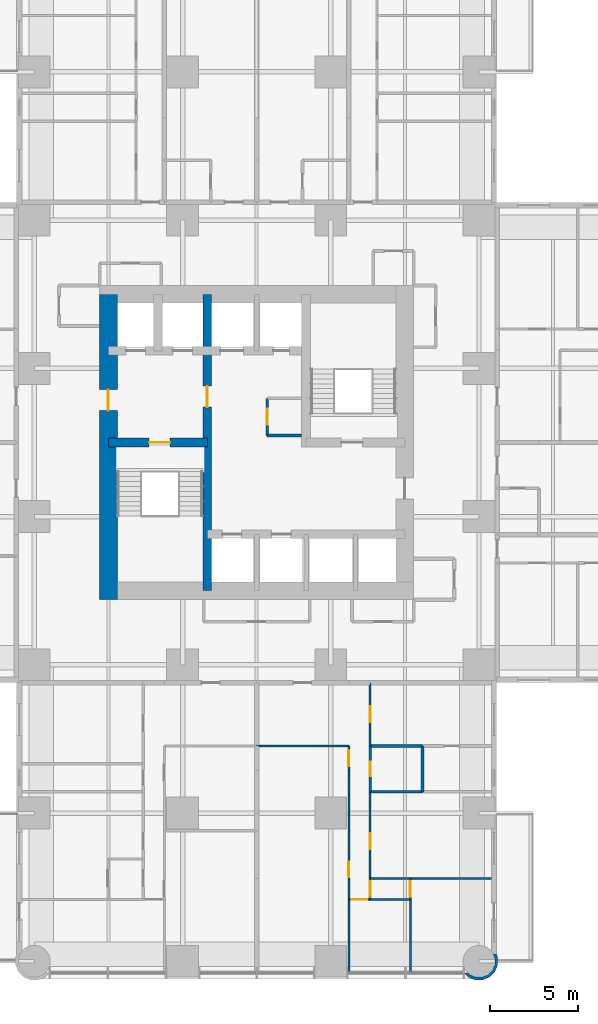
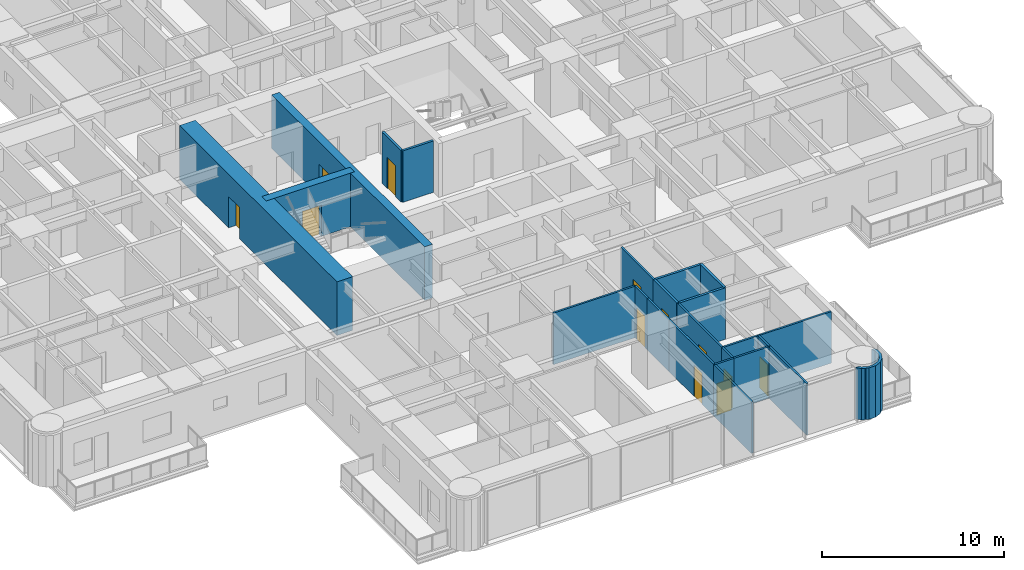
# One storey, part 9 of 17: 24 walls, 12 doors, 12 openings.
"""IFC4 building model written with IfcOpenShell, lengths in metres."""

from ifc_helpers import new_model, si_unit, direction, frame, frame_2d, origin, place, context, subcontext, project, spatial, polyline, rectangle, outline, extrude, material, layer, layer_set, type_object, element, fill, save


model = new_model("IFC4")

# Units and contexts
model_context = context("Model", 3, precision=1e-05, world=origin(), true_north=direction((0.0, 1.0)))
body_context = subcontext(model_context, "Body", "Model", "MODEL_VIEW")
ifc_project = project(units=[si_unit("LENGTHUNIT", "METRE"), si_unit("AREAUNIT", "SQUARE_METRE"), si_unit("VOLUMEUNIT", "CUBIC_METRE"), si_unit("PLANEANGLEUNIT", "RADIAN"), si_unit("MASSUNIT", "GRAM", prefix="KILO")], contexts=[model_context])

# Site, building, storey
site_placement = place(None, origin())
site = spatial("IfcSite", under=ifc_project, at=site_placement, CompositionType="ELEMENT")
building_placement = place(site_placement, origin())
building = spatial("IfcBuilding", under=site, at=building_placement, Name="Torre Alcanfor", CompositionType="ELEMENT")
storey_placement = place(building_placement, frame((0.0, 0.0, 92.10009765625)))
storey = spatial("IfcBuildingStorey", under=building, at=storey_placement, Name="L23", CompositionType="ELEMENT", Elevation=92.10009765625)

# Wall
ifc_material_1 = material(Name="Gypsum board on steel studs", Category="steel")
ifc_layer_1 = layer(ifc_material_1, 0.1201171875)
ifc_layer_set_1 = layer_set([ifc_layer_1], Name="Apartment partition 120")
wall_type_1 = type_object("IfcWallType", Name="Apartment partition 120", PredefinedType="PARTITIONING", material=ifc_layer_set_1)
wall_1_placement = place(storey_placement, frame((29.39990234375, 12.199951171875, 0.0), z_axis=(0.0, 0.0, 1.0), x_axis=(1.0, 0.0, 0.0)))
element("IfcWall", 1, at=wall_1_placement, inside=storey, type_object=wall_type_1, Name="Partition L23-S1-ZAG / L23-S1-LAUND", PredefinedType="PARTITIONING", context=body_context, shape_type="SweptSolid", body=[
    extrude(rectangle(XDim=5.22900390625, YDim=0.1201171875, at=frame_2d((2.614501953125, 0.0))), origin(), (0.0, 0.0, 1.0), 3.449951171875),
])

# Wall, opening, door
wall_2_placement = place(storey_placement, frame((34.62890625, 10.800048828125, 0.0), z_axis=(0.0, 0.0, 1.0), x_axis=(0.0, 1.0, 0.0)))
wall_2 = element("IfcWall", 2, at=wall_2_placement, inside=storey, type_object=wall_type_1, Name="Partition L23-S1-LAUND / L23-S1-HALL", PredefinedType="PARTITIONING", context=body_context, shape_type="SweptSolid", body=[
    extrude(rectangle(XDim=1.39990234375, YDim=0.1201171875, at=frame_2d((0.699951171875, 0.0))), origin(), (0.0, 0.0, 1.0), 3.449951171875),
])
opening_1_placement = place(wall_2_placement, frame((0.25, 0.0, 0.0)))
opening_1 = element("IfcOpeningElement", 3, at=opening_1_placement, cuts=wall_2, Name="Opening D-R1", PredefinedType="OPENING", context=body_context, shape_type="SweptSolid", body=[
    extrude(rectangle(XDim=0.89990234375, YDim=2.10009765625, at=frame_2d((0.449951171875, 1.050048828125))), frame((0.0, 0.070068359375, 0.0), z_axis=(0.0, -1.0, 0.0), x_axis=(1.0, 0.0, 0.0)), (0.0, 0.0, 1.0), 0.14013671875),
])
ifc_material_2 = material(Name="Timber", Category="wood")
door_type_1 = type_object("IfcDoorType", Name="Internal door 900x2100", OperationType="SINGLE_SWING_LEFT", PredefinedType="DOOR", material=ifc_material_2)
door_1_placement = place(opening_1_placement, origin())
door_1 = element("IfcDoor", 4, at=door_1_placement, inside=storey, type_object=door_type_1, Name="Door L23-S1 laund", OperationType="SINGLE_SWING_LEFT", OverallHeight=2.10009765625, OverallWidth=0.89990234375, PredefinedType="DOOR", context=body_context, shape_type="SweptSolid", body=[
    extrude(rectangle(XDim=0.89990234375, YDim=2.10009765625, at=frame_2d((0.449951171875, 1.050048828125))), frame((0.0, 0.02490234375, 0.0), z_axis=(0.0, -1.0, 0.0), x_axis=(1.0, 0.0, 0.0)), (0.0, 0.0, 1.0), 0.050048828125),
])
fill(opening_1, door_1)

# Wall
wall_3_placement = place(storey_placement, frame((34.62890625, 8.39990234375, 0.0), z_axis=(0.0, 0.0, 1.0), x_axis=(0.0, 1.0, 0.0)))
element("IfcWall", 5, at=wall_3_placement, inside=storey, type_object=wall_type_1, Name="Partition L23-S1-KITCHEN / L23-S1-HALL", PredefinedType="PARTITIONING", context=body_context, shape_type="SweptSolid", body=[
    extrude(rectangle(XDim=2.400146484375, YDim=0.1201171875, at=frame_2d((1.2001953125, 0.0))), origin(), (0.0, 0.0, 1.0), 3.449951171875),
])

# Wall, opening, door
wall_4_placement = place(storey_placement, frame((34.62890625, 3.5, 0.0), z_axis=(0.0, 0.0, 1.0), x_axis=(0.0, 1.0, 0.0)))
wall_4 = element("IfcWall", 6, at=wall_4_placement, inside=storey, type_object=wall_type_1, Name="Partition L23-S1-LIVING / L23-S1-HALL", PredefinedType="PARTITIONING", context=body_context, shape_type="SweptSolid", body=[
    extrude(rectangle(XDim=4.89990234375, YDim=0.1201171875, at=frame_2d((2.449951171875, 0.0))), origin(), (0.0, 0.0, 1.0), 3.449951171875),
])
opening_2_placement = place(wall_4_placement, frame((1.25, 0.0, 0.0)))
opening_2 = element("IfcOpeningElement", 7, at=opening_2_placement, cuts=wall_4, Name="Opening D-R1", PredefinedType="OPENING", context=body_context, shape_type="SweptSolid", body=[
    extrude(rectangle(XDim=0.89990234375, YDim=2.10009765625, at=frame_2d((0.449951171875, 1.050048828125))), frame((0.0, 0.070068359375, 0.0), z_axis=(0.0, -1.0, 0.0), x_axis=(1.0, 0.0, 0.0)), (0.0, 0.0, 1.0), 0.14013671875),
])
door_2_placement = place(opening_2_placement, origin())
door_2 = element("IfcDoor", 8, at=door_2_placement, inside=storey, type_object=door_type_1, Name="Door L23-S1 living", OperationType="SINGLE_SWING_RIGHT", OverallHeight=2.10009765625, OverallWidth=0.89990234375, PredefinedType="DOOR", context=body_context, shape_type="SweptSolid", body=[
    extrude(rectangle(XDim=0.89990234375, YDim=2.10009765625, at=frame_2d((0.449951171875, 1.050048828125))), frame((0.0, 0.02490234375, 0.0), z_axis=(0.0, -1.0, 0.0), x_axis=(1.0, 0.0, 0.0)), (0.0, 0.0, 1.0), 0.050048828125),
])
fill(opening_2, door_2)

# Wall
wall_5_placement = place(storey_placement, frame((34.62890625, -0.64990234375, 0.0), z_axis=(0.0, 0.0, 1.0), x_axis=(0.0, 1.0, 0.0)))
element("IfcWall", 9, at=wall_5_placement, inside=storey, type_object=wall_type_1, Name="Partition L23-S1-LIVING / L23-S1-BED2", PredefinedType="PARTITIONING", context=body_context, shape_type="SweptSolid", body=[
    extrude(rectangle(XDim=4.14990234375, YDim=0.1201171875, at=frame_2d((2.074951171875, 0.0))), origin(), (0.0, 0.0, 1.0), 3.449951171875),
])

# Wall, opening, door
wall_6_placement = place(storey_placement, frame((35.8291015625, 12.199951171875, 0.0), z_axis=(0.0, 0.0, 1.0), x_axis=(0.0, 1.0, 0.0)))
wall_6 = element("IfcWall", 10, at=wall_6_placement, inside=storey, type_object=wall_type_1, Name="Partition L23-S1-HALL / L23-S1-SERV", PredefinedType="PARTITIONING", context=body_context, shape_type="SweptSolid", body=[
    extrude(rectangle(XDim=3.574951171875, YDim=0.1201171875, at=frame_2d((1.78759765625, 0.0))), origin(), (0.0, 0.0, 1.0), 3.449951171875),
])
opening_3_placement = place(wall_6_placement, frame((1.35009765625, 0.0, 0.0)))
opening_3 = element("IfcOpeningElement", 11, at=opening_3_placement, cuts=wall_6, Name="Opening D-R1", PredefinedType="OPENING", context=body_context, shape_type="SweptSolid", body=[
    extrude(rectangle(XDim=0.89990234375, YDim=2.10009765625, at=frame_2d((0.449951171875, 1.050048828125))), frame((0.0, 0.070068359375, 0.0), z_axis=(0.0, -1.0, 0.0), x_axis=(1.0, 0.0, 0.0)), (0.0, 0.0, 1.0), 0.14013671875),
])
door_3_placement = place(opening_3_placement, frame((0.89990234375, 0.0, 0.0), z_axis=(0.0, 0.0, 1.0), x_axis=(-1.0, 0.0, 0.0)))
door_3 = element("IfcDoor", 12, at=door_3_placement, inside=storey, type_object=door_type_1, Name="Door L23-S1 serv", OperationType="SINGLE_SWING_LEFT", OverallHeight=2.10009765625, OverallWidth=0.89990234375, PredefinedType="DOOR", context=body_context, shape_type="SweptSolid", body=[
    extrude(rectangle(XDim=0.89990234375, YDim=2.10009765625, at=frame_2d((0.449951171875, 1.050048828125))), frame((0.0, 0.025146484375, 0.0), z_axis=(0.0, -1.0, 0.0), x_axis=(1.0, 0.0, 0.0)), (0.0, 0.0, 1.0), 0.050048828125),
])
fill(opening_3, door_3)

wall_7_placement = place(storey_placement, frame((35.8291015625, 4.699951171875, 0.0), z_axis=(0.0, 0.0, 1.0), x_axis=(0.0, 1.0, 0.0)))
wall_7 = element("IfcWall", 13, at=wall_7_placement, inside=storey, type_object=wall_type_1, Name="Partition L23-S1-HALL / L23-S1-BED3", PredefinedType="PARTITIONING", context=body_context, shape_type="SweptSolid", body=[
    extrude(rectangle(XDim=4.900146484375, YDim=0.1201171875, at=frame_2d((2.4501953125, 0.0))), origin(), (0.0, 0.0, 1.0), 3.449951171875),
])
opening_4_placement = place(wall_7_placement, frame((1.64990234375, 0.0, 0.0)))
opening_4 = element("IfcOpeningElement", 14, at=opening_4_placement, cuts=wall_7, Name="Opening D-R1", PredefinedType="OPENING", context=body_context, shape_type="SweptSolid", body=[
    extrude(rectangle(XDim=0.89990234375, YDim=2.10009765625, at=frame_2d((0.449951171875, 1.050048828125))), frame((0.0, 0.070068359375, 0.0), z_axis=(0.0, -1.0, 0.0), x_axis=(1.0, 0.0, 0.0)), (0.0, 0.0, 1.0), 0.14013671875),
])
door_4_placement = place(opening_4_placement, frame((0.89990234375, 0.0, 0.0), z_axis=(0.0, 0.0, 1.0), x_axis=(-1.0, 0.0, 0.0)))
door_4 = element("IfcDoor", 15, at=door_4_placement, inside=storey, type_object=door_type_1, Name="Door L23-S1 bed3", OperationType="SINGLE_SWING_RIGHT", OverallHeight=2.10009765625, OverallWidth=0.89990234375, PredefinedType="DOOR", context=body_context, shape_type="SweptSolid", body=[
    extrude(rectangle(XDim=0.89990234375, YDim=2.10009765625, at=frame_2d((0.449951171875, 1.050048828125))), frame((0.0, 0.025146484375, 0.0), z_axis=(0.0, -1.0, 0.0), x_axis=(1.0, 0.0, 0.0)), (0.0, 0.0, 1.0), 0.050048828125),
])
fill(opening_4, door_4)

wall_8_placement = place(storey_placement, frame((35.8291015625, 3.5, 0.0), z_axis=(0.0, 0.0, 1.0), x_axis=(0.0, 1.0, 0.0)))
wall_8 = element("IfcWall", 16, at=wall_8_placement, inside=storey, type_object=wall_type_1, Name="Partition L23-S1-HALL / L23-S1-VEST", PredefinedType="PARTITIONING", context=body_context, shape_type="SweptSolid", body=[
    extrude(rectangle(XDim=1.199951171875, YDim=0.1201171875, at=frame_2d((0.60009765625, 0.0))), origin(), (0.0, 0.0, 1.0), 3.449951171875),
])
opening_5_placement = place(wall_8_placement, frame((0.14990234375, 0.0, 0.0)))
opening_5 = element("IfcOpeningElement", 17, at=opening_5_placement, cuts=wall_8, Name="Opening D-R1", PredefinedType="OPENING", context=body_context, shape_type="SweptSolid", body=[
    extrude(rectangle(XDim=0.89990234375, YDim=2.10009765625, at=frame_2d((0.449951171875, 1.050048828125))), frame((0.0, 0.070068359375, 0.0), z_axis=(0.0, -1.0, 0.0), x_axis=(1.0, 0.0, 0.0)), (0.0, 0.0, 1.0), 0.14013671875),
])
door_5_placement = place(opening_5_placement, frame((0.89990234375, 0.0, 0.0), z_axis=(0.0, 0.0, 1.0), x_axis=(-1.0, 0.0, 0.0)))
door_5 = element("IfcDoor", 18, at=door_5_placement, inside=storey, type_object=door_type_1, Name="Door L23-S1 vest", OperationType="SINGLE_SWING_RIGHT", OverallHeight=2.10009765625, OverallWidth=0.89990234375, PredefinedType="DOOR", context=body_context, shape_type="SweptSolid", body=[
    extrude(rectangle(XDim=0.89990234375, YDim=2.10009765625, at=frame_2d((0.449951171875, 1.050048828125))), frame((0.0, 0.025146484375, 0.0), z_axis=(0.0, -1.0, 0.0), x_axis=(1.0, 0.0, 0.0)), (0.0, 0.0, 1.0), 0.050048828125),
])
fill(opening_5, door_5)

wall_9_placement = place(storey_placement, frame((34.62890625, 3.5, 0.0), z_axis=(0.0, 0.0, 1.0), x_axis=(1.0, 0.0, 0.0)))
wall_9 = element("IfcWall", 19, at=wall_9_placement, inside=storey, type_object=wall_type_1, Name="Partition L23-S1-HALL / L23-S1-BED2", PredefinedType="PARTITIONING", context=body_context, shape_type="SweptSolid", body=[
    extrude(rectangle(XDim=1.2001953125, YDim=0.1201171875, at=frame_2d((0.60009765625, 0.0))), origin(), (0.0, 0.0, 1.0), 3.449951171875),
])
opening_6_placement = place(wall_9_placement, frame((0.15087890625, 0.0, 0.0)))
opening_6 = element("IfcOpeningElement", 20, at=opening_6_placement, cuts=wall_9, Name="Opening D-R1", PredefinedType="OPENING", context=body_context, shape_type="SweptSolid", body=[
    extrude(rectangle(XDim=0.89990234375, YDim=2.10009765625, at=frame_2d((0.449951171875, 1.050048828125))), frame((0.0, 0.070068359375, 0.0), z_axis=(0.0, -1.0, 0.0), x_axis=(1.0, 0.0, 0.0)), (0.0, 0.0, 1.0), 0.14013671875),
])
door_6_placement = place(opening_6_placement, frame((0.89990234375, 0.0, 0.0), z_axis=(0.0, 0.0, 1.0), x_axis=(-1.0, 0.0, 0.0)))
door_6 = element("IfcDoor", 21, at=door_6_placement, inside=storey, type_object=door_type_1, Name="Door L23-S1 bed2", OperationType="SINGLE_SWING_RIGHT", OverallHeight=2.10009765625, OverallWidth=0.89990234375, PredefinedType="DOOR", context=body_context, shape_type="SweptSolid", body=[
    extrude(rectangle(XDim=0.89990234375, YDim=2.10009765625, at=frame_2d((0.449951171875, 1.050048828125))), frame((0.0, 0.025146484375, 0.0), z_axis=(0.0, -1.0, 0.0), x_axis=(1.0, 0.0, 0.0)), (0.0, 0.0, 1.0), 0.050048828125),
])
fill(opening_6, door_6)

# Walls
wall_10_placement = place(storey_placement, frame((35.8291015625, 4.699951171875, 0.0), z_axis=(0.0, 0.0, 1.0), x_axis=(1.0, 0.0, 0.0)))
element("IfcWall", 22, at=wall_10_placement, inside=storey, type_object=wall_type_1, Name="Partition L23-S1-BED3 / L23-S1-VEST", PredefinedType="PARTITIONING", context=body_context, shape_type="SweptSolid", body=[
    extrude(rectangle(XDim=2.284912109375, YDim=0.1201171875, at=frame_2d((1.142578125, 0.0))), origin(), (0.0, 0.0, 1.0), 3.449951171875),
])
wall_11_placement = place(storey_placement, frame((38.114013671875, 4.699951171875, 0.0), z_axis=(0.0, 0.0, 1.0), x_axis=(1.0, 0.0, 0.0)))
element("IfcWall", 23, at=wall_11_placement, inside=storey, type_object=wall_type_1, Name="Partition L23-S1-BED3 / L23-S1-MASTER", PredefinedType="PARTITIONING", context=body_context, shape_type="SweptSolid", body=[
    extrude(rectangle(XDim=4.5859375, YDim=0.1201171875, at=frame_2d((2.29296875, 0.0))), origin(), (0.0, 0.0, 1.0), 3.449951171875),
])
wall_12_placement = place(storey_placement, frame((35.8291015625, 3.5, 0.0), z_axis=(0.0, 0.0, 1.0), x_axis=(1.0, 0.0, 0.0)))
element("IfcWall", 24, at=wall_12_placement, inside=storey, type_object=wall_type_1, Name="Partition L23-S1-VEST / L23-S1-BED2", PredefinedType="PARTITIONING", context=body_context, shape_type="SweptSolid", body=[
    extrude(rectangle(XDim=2.284912109375, YDim=0.1201171875, at=frame_2d((1.142578125, 0.0))), origin(), (0.0, 0.0, 1.0), 3.449951171875),
])

# Wall, opening, door
wall_13_placement = place(storey_placement, frame((38.114013671875, 3.5, 0.0), z_axis=(0.0, 0.0, 1.0), x_axis=(0.0, 1.0, 0.0)))
wall_13 = element("IfcWall", 25, at=wall_13_placement, inside=storey, type_object=wall_type_1, Name="Partition L23-S1-VEST / L23-S1-MASTER", PredefinedType="PARTITIONING", context=body_context, shape_type="SweptSolid", body=[
    extrude(rectangle(XDim=1.199951171875, YDim=0.1201171875, at=frame_2d((0.60009765625, 0.0))), origin(), (0.0, 0.0, 1.0), 3.449951171875),
])
opening_7_placement = place(wall_13_placement, frame((0.14990234375, 0.0, 0.0)))
opening_7 = element("IfcOpeningElement", 26, at=opening_7_placement, cuts=wall_13, Name="Opening D-R1", PredefinedType="OPENING", context=body_context, shape_type="SweptSolid", body=[
    extrude(rectangle(XDim=0.89990234375, YDim=2.10009765625, at=frame_2d((0.449951171875, 1.050048828125))), frame((0.0, 0.070068359375, 0.0), z_axis=(0.0, -1.0, 0.0), x_axis=(1.0, 0.0, 0.0)), (0.0, 0.0, 1.0), 0.14013671875),
])
door_7_placement = place(opening_7_placement, origin())
door_7 = element("IfcDoor", 27, at=door_7_placement, inside=storey, type_object=door_type_1, Name="Door L23-S1 master", OperationType="SINGLE_SWING_LEFT", OverallHeight=2.10009765625, OverallWidth=0.89990234375, PredefinedType="DOOR", context=body_context, shape_type="SweptSolid", body=[
    extrude(rectangle(XDim=0.89990234375, YDim=2.10009765625, at=frame_2d((0.449951171875, 1.050048828125))), frame((0.0, 0.02490234375, 0.0), z_axis=(0.0, -1.0, 0.0), x_axis=(1.0, 0.0, 0.0)), (0.0, 0.0, 1.0), 0.050048828125),
])
fill(opening_7, door_7)

# Wall
wall_14_placement = place(storey_placement, frame((38.114013671875, -0.64990234375, 0.0), z_axis=(0.0, 0.0, 1.0), x_axis=(0.0, 1.0, 0.0)))
element("IfcWall", 28, at=wall_14_placement, inside=storey, type_object=wall_type_1, Name="Partition L23-S1-BED2 / L23-S1-MASTER", PredefinedType="PARTITIONING", context=body_context, shape_type="SweptSolid", body=[
    extrude(rectangle(XDim=4.14990234375, YDim=0.1201171875, at=frame_2d((2.074951171875, 0.0))), origin(), (0.0, 0.0, 1.0), 3.449951171875),
])

# Wall, opening, door
ifc_material_3 = material(Name="Concrete f'c 70 MPa", Category="concrete")
ifc_layer_2 = layer(ifc_material_3, 0.5)
ifc_layer_set_2 = layer_set([ifc_layer_2], Name="Core inner wall 500 f'c70")
wall_type_2 = type_object("IfcWallType", Name="Core inner wall 500 f'c70", PredefinedType="SHEAR", material=ifc_layer_set_2)
wall_15_placement = place(storey_placement, frame((26.60009765625, 21.0, 0.0), z_axis=(0.0, 0.0, 1.0), x_axis=(0.0, 1.0, 0.0)))
wall_15 = element("IfcWall", 29, at=wall_15_placement, inside=storey, type_object=wall_type_2, Name="Core wall X266 L23", PredefinedType="SHEAR", context=body_context, shape_type="SweptSolid", body=[
    extrude(rectangle(XDim=16.800048828125, YDim=0.5, at=frame_2d((8.39990234375, 0.0))), origin(), (0.0, 0.0, 1.0), 3.599853515625),
])
opening_8_placement = place(wall_15_placement, frame((10.39990234375, 0.0, 0.0)))
opening_8 = element("IfcOpeningElement", 30, at=opening_8_placement, cuts=wall_15, Name="Opening D-L1", PredefinedType="OPENING", context=body_context, shape_type="SweptSolid", body=[
    extrude(rectangle(XDim=1.199951171875, YDim=2.10009765625, at=frame_2d((0.60009765625, 1.050048828125))), frame((0.0, 0.260009765625, 0.0), z_axis=(0.0, -1.0, 0.0), x_axis=(1.0, 0.0, 0.0)), (0.0, 0.0, 1.0), 0.52001953125),
])
ifc_material_4 = material(Name="Galvanised steel sheet ASTM A653", Category="steel")
door_type_2 = type_object("IfcDoorType", Name="Lobby door FD120 1200x2100", OperationType="SINGLE_SWING_LEFT", PredefinedType="DOOR", material=ifc_material_4)
door_8_placement = place(opening_8_placement, origin())
door_8 = element("IfcDoor", 31, at=door_8_placement, inside=storey, type_object=door_type_2, Name="Lift lobby door L23", OperationType="SINGLE_SWING_LEFT", OverallHeight=2.10009765625, OverallWidth=1.199951171875, PredefinedType="DOOR", context=body_context, shape_type="SweptSolid", body=[
    extrude(rectangle(XDim=1.199951171875, YDim=2.10009765625, at=frame_2d((0.60009765625, 1.050048828125))), frame((0.0, 0.02490234375, 0.0), z_axis=(0.0, -1.0, 0.0), x_axis=(1.0, 0.0, 0.0)), (0.0, 0.0, 1.0), 0.050048828125),
])
fill(opening_8, door_8)

wall_16_placement = place(storey_placement, frame((21.0, 29.39990234375, 0.0), z_axis=(0.0, 0.0, 1.0), x_axis=(1.0, 0.0, 0.0)))
wall_16 = element("IfcWall", 32, at=wall_16_placement, inside=storey, type_object=wall_type_2, Name="Core wall Y294W L23", PredefinedType="SHEAR", context=body_context, shape_type="SweptSolid", body=[
    extrude(rectangle(XDim=5.60009765625, YDim=0.5, at=frame_2d((2.800048828125, 0.0))), origin(), (0.0, 0.0, 1.0), 3.599853515625),
])
opening_9_placement = place(wall_16_placement, frame((2.300048828125, 0.0, 0.0)))
opening_9 = element("IfcOpeningElement", 33, at=opening_9_placement, cuts=wall_16, Name="Opening D-S2", PredefinedType="OPENING", context=body_context, shape_type="SweptSolid", body=[
    extrude(rectangle(XDim=1.199951171875, YDim=2.10009765625, at=frame_2d((0.60009765625, 1.050048828125))), frame((0.0, 0.260009765625, 0.0), z_axis=(0.0, -1.0, 0.0), x_axis=(1.0, 0.0, 0.0)), (0.0, 0.0, 1.0), 0.52001953125),
])
ifc_material_5 = material(Name="Galvanised steel sheet ASTM A653", Category="steel")
door_type_3 = type_object("IfcDoorType", Name="Stair enclosure door FD120 1200x2100", OperationType="SINGLE_SWING_LEFT", PredefinedType="DOOR", material=ifc_material_5)
door_9_placement = place(opening_9_placement, frame((1.199951171875, 0.0, 0.0), z_axis=(0.0, 0.0, 1.0), x_axis=(-1.0, 0.0, 0.0)))
door_9 = element("IfcDoor", 34, at=door_9_placement, inside=storey, type_object=door_type_3, Name="Stair S1 door L23", OperationType="SINGLE_SWING_LEFT", OverallHeight=2.10009765625, OverallWidth=1.199951171875, PredefinedType="DOOR", context=body_context, shape_type="SweptSolid", body=[
    extrude(rectangle(XDim=1.199951171875, YDim=2.10009765625, at=frame_2d((0.599853515625, 1.050048828125))), frame((0.0, 0.025146484375, 0.0), z_axis=(0.0, -1.0, 0.0), x_axis=(1.0, 0.0, 0.0)), (0.0, 0.0, 1.0), 0.050048828125),
])
fill(opening_9, door_9)

ifc_material_6 = material(Name="Concrete f'c 70 MPa", Category="concrete")
ifc_layer_3 = layer(ifc_material_6, 1.0)
ifc_layer_set_3 = layer_set([ifc_layer_3], Name="Core wall 1000 f'c70")
wall_type_3 = type_object("IfcWallType", Name="Core wall 1000 f'c70", PredefinedType="SHEAR", material=ifc_layer_set_3)
wall_17_placement = place(storey_placement, frame((21.0, 37.800048828125, 0.0), z_axis=(0.0, 0.0, 1.0), x_axis=(0.0, -1.0, 0.0)))
wall_17 = element("IfcWall", 35, at=wall_17_placement, inside=storey, type_object=wall_type_3, Name="Core wall OUT-W L23", PredefinedType="SHEAR", context=body_context, shape_type="SweptSolid", body=[
    extrude(rectangle(XDim=17.300048828125, YDim=1.0, at=frame_2d((8.64990234375, 0.0))), origin(), (0.0, 0.0, 1.0), 3.599853515625),
])
opening_10_placement = place(wall_17_placement, frame((5.39990234375, 0.0, 0.0)))
opening_10 = element("IfcOpeningElement", 36, at=opening_10_placement, cuts=wall_17, Name="Opening D-L1", PredefinedType="OPENING", context=body_context, shape_type="SweptSolid", body=[
    extrude(rectangle(XDim=1.199951171875, YDim=2.10009765625, at=frame_2d((0.60009765625, 1.050048828125))), frame((0.0, 0.510009765625, 0.0), z_axis=(0.0, -1.0, 0.0), x_axis=(1.0, 0.0, 0.0)), (0.0, 0.0, 1.0), 1.02001953125),
])
door_10_placement = place(opening_10_placement, origin())
door_10 = element("IfcDoor", 37, at=door_10_placement, inside=storey, type_object=door_type_2, Name="Firefighting lobby door L23", OperationType="SINGLE_SWING_LEFT", OverallHeight=2.10009765625, OverallWidth=1.199951171875, PredefinedType="DOOR", context=body_context, shape_type="SweptSolid", body=[
    extrude(rectangle(XDim=1.199951171875, YDim=2.10009765625, at=frame_2d((0.60009765625, 1.050048828125))), frame((0.0, 0.02490234375, 0.0), z_axis=(0.0, -1.0, 0.0), x_axis=(1.0, 0.0, 0.0)), (0.0, 0.0, 1.0), 0.050048828125),
])
fill(opening_10, door_10)

# Wall
ifc_material_7 = material(Name="Limestone cladding", Category="masonry")
ifc_layer_4 = layer(ifc_material_7, 0.0400390625, Name="Facing")
ifc_material_8 = material(Name="Ventilated air cavity")
ifc_layer_5 = layer(ifc_material_8, 0.02001953125, ventilated=True, Name="Ventilated joint")
ifc_material_9 = material(Name="Mineral wool insulation", Category="insulation")
ifc_layer_6 = layer(ifc_material_9, 0.10009765625, Name="Insulation")
ifc_material_10 = material(Name="Concrete f'c 35 MPa", Category="concrete")
ifc_layer_7 = layer(ifc_material_10, 0.139892578125, Name="Backing")
ifc_layer_set_4 = layer_set([ifc_layer_4, ifc_layer_5, ifc_layer_6, ifc_layer_7], Name="Rounded corner pier stone-clad 300")
wall_type_4 = type_object("IfcWallType", Name="Rounded corner pier stone-clad 300", PredefinedType="SOLIDWALL", material=ifc_layer_set_4)
wall_18_placement = place(storey_placement, frame((41.23340608, -0.610519256, 0.0), z_axis=(0.0, 0.0, 1.0), x_axis=(0.377204953059, -0.926129809145, 0.0)))
element("IfcWall", 38, at=wall_18_placement, inside=storey, type_object=wall_type_4, Name="Corner pier L23 16", PredefinedType="SOLIDWALL", context=body_context, shape_type="SweptSolid", body=[
    extrude(outline(polyline([(0.31873169437185855, 1.8425336525024494), (-0.07152710704046505, 2.001482809968314), (-0.24009471588869835, 2.0005449414227563), (-0.26941358666453996, 2.017231322070639), (-0.37003424962124987, 1.840731870737274), (-0.10240281114565264, 1.842182010528029), (0.22952066537421467, 1.7069923447343507), (0.48468330510664415, 1.4551793700683648), (0.6237907271323827, 1.1248909220292227), (0.6256685839754508, 0.7664021208386822), (0.49047891818177247, 0.4344786443188148), (0.23866594351578668, 0.1793160045863853), (0.09016005264750862, 0.11695717207098313), (0.01086965602056237, -0.07772001681430692), (0.024436010646714988, -0.08324547999388505), (0.3295868985749782, 0.04527476829386376), (0.48015223740573765, 0.19747796194128653), (0.49902760591309464, 0.19268993376963664), (0.5075741737852856, 0.2253240824532252), (0.6260202259498713, 0.3452676153211709), (0.7849693834157356, 0.7355264167334946), (0.7824906971943995, 1.1572636358175066), (0.6187245413991658, 1.5461003251275562), (0.31873169437185855, 1.8425336525024494)])), origin(), (0.0, 0.0, 1.0), 3.449951171875),
])

# Wall, opening, door
ifc_material_11 = material(Name="Cement board on steel studs", Category="steel")
ifc_layer_8 = layer(ifc_material_11, 0.14990234375)
ifc_layer_set_5 = layer_set([ifc_layer_8], Name="Wet area partition 150")
wall_type_5 = type_object("IfcWallType", Name="Wet area partition 150", PredefinedType="PARTITIONING", material=ifc_layer_set_5)
wall_19_placement = place(storey_placement, frame((35.8291015625, 9.60009765625, 0.0), z_axis=(0.0, 0.0, 1.0), x_axis=(0.0, 1.0, 0.0)))
wall_19 = element("IfcWall", 39, at=wall_19_placement, inside=storey, type_object=wall_type_5, Name="Partition L23-S1-HALL / L23-S1-BATH1", PredefinedType="PARTITIONING", context=body_context, shape_type="SweptSolid", body=[
    extrude(rectangle(XDim=2.599853515625, YDim=0.14990234375, at=frame_2d((1.2998046875, 0.0))), origin(), (0.0, 0.0, 1.0), 3.449951171875),
])
opening_11_placement = place(wall_19_placement, frame((0.89990234375, 0.0, 0.0)))
opening_11 = element("IfcOpeningElement", 40, at=opening_11_placement, cuts=wall_19, Name="Opening D-R2", PredefinedType="OPENING", context=body_context, shape_type="SweptSolid", body=[
    extrude(rectangle(XDim=0.800048828125, YDim=2.10009765625, at=frame_2d((0.39990234375, 1.050048828125))), frame((0.0, 0.0849609375, 0.0), z_axis=(0.0, -1.0, 0.0), x_axis=(1.0, 0.0, 0.0)), (0.0, 0.0, 1.0), 0.169921875),
])
ifc_material_12 = material(Name="Timber", Category="wood")
door_type_4 = type_object("IfcDoorType", Name="Bathroom door 800x2100", OperationType="SINGLE_SWING_LEFT", PredefinedType="DOOR", material=ifc_material_12)
door_11_placement = place(opening_11_placement, frame((0.800048828125, 0.0, 0.0), z_axis=(0.0, 0.0, 1.0), x_axis=(-1.0, 0.0, 0.0)))
door_11 = element("IfcDoor", 41, at=door_11_placement, inside=storey, type_object=door_type_4, Name="Door L23-S1 bath1", OperationType="SINGLE_SWING_RIGHT", OverallHeight=2.10009765625, OverallWidth=0.800048828125, PredefinedType="DOOR", context=body_context, shape_type="SweptSolid", body=[
    extrude(rectangle(XDim=0.800048828125, YDim=2.10009765625, at=frame_2d((0.400146484375, 1.050048828125))), frame((0.0, 0.025146484375, 0.0), z_axis=(0.0, -1.0, 0.0), x_axis=(1.0, 0.0, 0.0)), (0.0, 0.0, 1.0), 0.050048828125),
])
fill(opening_11, door_11)

# Walls
wall_20_placement = place(storey_placement, frame((35.8291015625, 12.199951171875, 0.0), z_axis=(0.0, 0.0, 1.0), x_axis=(1.0, 0.0, 0.0)))
element("IfcWall", 42, at=wall_20_placement, inside=storey, type_object=wall_type_5, Name="Partition L23-S1-SERV / L23-S1-BATH1", PredefinedType="PARTITIONING", context=body_context, shape_type="SweptSolid", body=[
    extrude(rectangle(XDim=2.970947265625, YDim=0.14990234375, at=frame_2d((1.4853515625, 0.0))), origin(), (0.0, 0.0, 1.0), 3.449951171875),
])
wall_21_placement = place(storey_placement, frame((38.800048828125, 9.60009765625, 0.0), z_axis=(0.0, 0.0, 1.0), x_axis=(0.0, 1.0, 0.0)))
element("IfcWall", 43, at=wall_21_placement, inside=storey, type_object=wall_type_5, Name="Partition L23-S1-BATH1 / L23-S1-SBATH", PredefinedType="PARTITIONING", context=body_context, shape_type="SweptSolid", body=[
    extrude(rectangle(XDim=2.599853515625, YDim=0.14990234375, at=frame_2d((1.2998046875, 0.0))), origin(), (0.0, 0.0, 1.0), 3.449951171875),
])
wall_22_placement = place(storey_placement, frame((35.8291015625, 9.60009765625, 0.0), z_axis=(0.0, 0.0, 1.0), x_axis=(1.0, 0.0, 0.0)))
element("IfcWall", 44, at=wall_22_placement, inside=storey, type_object=wall_type_5, Name="Partition L23-S1-BATH1 / L23-S1-BED3", PredefinedType="PARTITIONING", context=body_context, shape_type="SweptSolid", body=[
    extrude(rectangle(XDim=2.970947265625, YDim=0.14990234375, at=frame_2d((1.4853515625, 0.0))), origin(), (0.0, 0.0, 1.0), 3.449951171875),
])
wall_23_placement = place(storey_placement, frame((31.949951171875, 29.800048828125, 0.0), z_axis=(0.0, 0.0, 1.0), x_axis=(-1.0, 0.0, 0.0)))
element("IfcWall", 45, at=wall_23_placement, inside=storey, type_object=wall_type_5, Name="Partition L23-LL / L23-CR1", PredefinedType="PARTITIONING", context=body_context, shape_type="SweptSolid", body=[
    extrude(rectangle(XDim=1.949951171875, YDim=0.14990234375, at=frame_2d((0.97509765625, 0.0))), origin(), (0.0, 0.0, 1.0), 3.449951171875),
])

# Wall, opening, door
wall_24_placement = place(storey_placement, frame((30.0, 29.800048828125, 0.0), z_axis=(0.0, 0.0, 1.0), x_axis=(0.0, 1.0, 0.0)))
wall_24 = element("IfcWall", 46, at=wall_24_placement, inside=storey, type_object=wall_type_5, Name="Partition L23-LL / L23-CR1", PredefinedType="PARTITIONING", context=body_context, shape_type="SweptSolid", body=[
    extrude(rectangle(XDim=2.099853515625, YDim=0.14990234375, at=frame_2d((1.0498046875, 0.0))), origin(), (0.0, 0.0, 1.0), 3.449951171875),
])
opening_12_placement = place(wall_24_placement, frame((0.60009765625, 0.0, 0.0)))
opening_12 = element("IfcOpeningElement", 47, at=opening_12_placement, cuts=wall_24, Name="Opening D-W1", PredefinedType="OPENING", context=body_context, shape_type="SweptSolid", body=[
    extrude(rectangle(XDim=0.89990234375, YDim=2.10009765625, at=frame_2d((0.449951171875, 1.050048828125))), frame((0.0, 0.0849609375, 0.0), z_axis=(0.0, -1.0, 0.0), x_axis=(1.0, 0.0, 0.0)), (0.0, 0.0, 1.0), 0.169921875),
])
ifc_material_13 = material(Name="Timber", Category="wood")
door_type_5 = type_object("IfcDoorType", Name="Toilet door 900x2100", OperationType="SINGLE_SWING_LEFT", PredefinedType="DOOR", material=ifc_material_13)
door_12_placement = place(opening_12_placement, frame((0.89990234375, 0.0, 0.0), z_axis=(0.0, 0.0, 1.0), x_axis=(-1.0, 0.0, 0.0)))
door_12 = element("IfcDoor", 48, at=door_12_placement, inside=storey, type_object=door_type_5, Name="Staff WC door L23", OperationType="SINGLE_SWING_RIGHT", OverallHeight=2.10009765625, OverallWidth=0.89990234375, PredefinedType="DOOR", context=body_context, shape_type="SweptSolid", body=[
    extrude(rectangle(XDim=0.89990234375, YDim=2.10009765625, at=frame_2d((0.449951171875, 1.050048828125))), frame((0.0, 0.025146484375, 0.0), z_axis=(0.0, -1.0, 0.0), x_axis=(1.0, 0.0, 0.0)), (0.0, 0.0, 1.0), 0.050048828125),
])
fill(opening_12, door_12)

save(model, "model.ifc")
